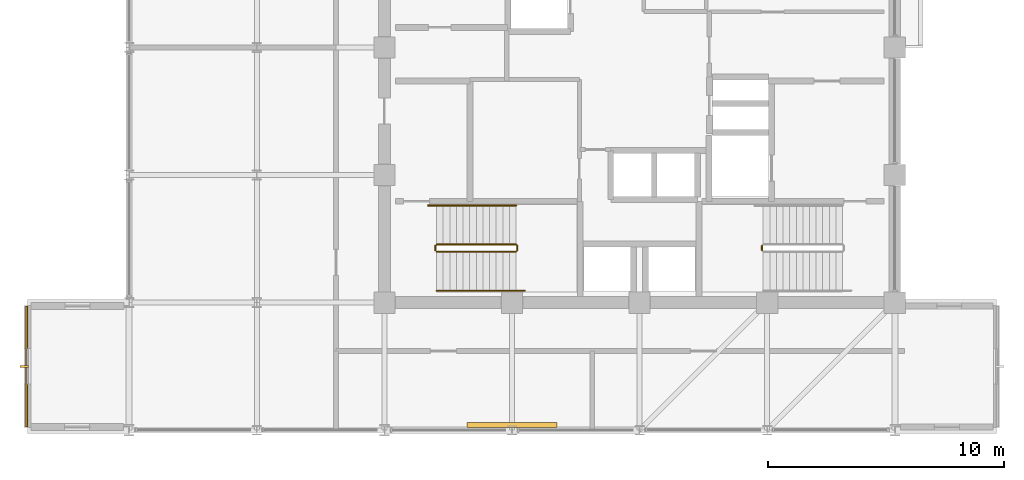
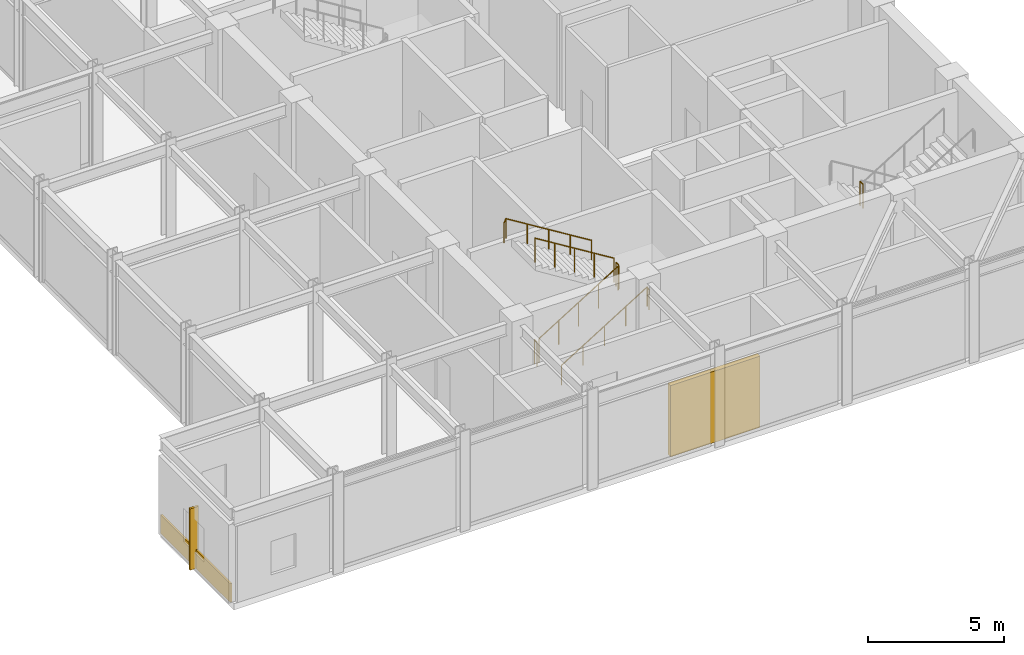
# One storey, part 19 of 22: 7 railings, 2 shading devices, 1 covering.
"""IFC4 building model written with IfcOpenShell, lengths in metres."""

from ifc_helpers import new_model, si_unit, direction, frame, origin, origin_2d, place, context, subcontext, project, spatial, rectangle, circle, extrude, material, layer, layer_set, type_object, element, save


model = new_model("IFC4")

# Units and contexts
model_context = context("Model", 3, precision=1e-05, world=origin(), true_north=direction((0.0, 1.0)))
body_context = subcontext(model_context, "Body", "Model", "MODEL_VIEW")
ifc_project = project(units=[si_unit("LENGTHUNIT", "METRE"), si_unit("AREAUNIT", "SQUARE_METRE"), si_unit("VOLUMEUNIT", "CUBIC_METRE"), si_unit("PLANEANGLEUNIT", "RADIAN"), si_unit("MASSUNIT", "GRAM", prefix="KILO")], contexts=[model_context])

# Site, building, storey
site_placement = place(None, origin())
site = spatial("IfcSite", under=ifc_project, at=site_placement, CompositionType="ELEMENT")
building_placement = place(site_placement, origin())
building = spatial("IfcBuilding", under=site, at=building_placement, Name="Surkhivell Harbour Commons", CompositionType="ELEMENT")
storey_placement = place(building_placement, frame((0.0, 0.0, 342.0)))
storey = spatial("IfcBuildingStorey", under=building, at=storey_placement, Name="L89", CompositionType="ELEMENT", Elevation=342.0)

# Covering
ifc_material_1 = material(Name="Saffron-gold enamelled aluminium cassette panel", Category="aluminium")
ifc_layer = layer(ifc_material_1, 0.070068359375)
ifc_layer_set = layer_set([ifc_layer], Name="Saffron-gold enamelled aluminium cassette panel")
covering_type = type_object("IfcCoveringType", Name="COV-CLAD-SAF", PredefinedType="CLADDING", material=ifc_layer_set)
covering_placement = place(storey_placement, frame((-25.93994140625, -13.5, 0.0), z_axis=(0.0, 0.0, 1.0), x_axis=(1.0, 0.0, 0.0)))
element("IfcCovering", 1, at=covering_placement, inside=storey, type_object=covering_type, Name="L89 Coloured-Panel Box Spandrel Cassette 03", PredefinedType="CLADDING", context=body_context, shape_type="SweptSolid", body=[
    extrude(rectangle(XDim=0.080078125, YDim=5.10009765625, at=origin_2d()), origin(), (0.0, 0.0, 1.0), 0.840087890625),
])

# Railings
ifc_material_2 = material(Name="Galvanised and painted steel S355 guard rail", Category="steel")
railing_type_1 = type_object("IfcRailingType", Name="RAL-ST-GRD1100", PredefinedType="GUARDRAIL", material=ifc_material_2)
railing_1_placement = place(storey_placement, frame((5.179931640625, -8.389892578125, 2.25)))
element("IfcRailing", 2, at=railing_1_placement, inside=storey, type_object=railing_type_1, Name="L89 ST2 stair guard 2", PredefinedType="GUARDRAIL", context=body_context, shape_type="SweptSolid", body=[
    extrude(circle(Radius=0.02392578125, at=origin_2d()), frame((0.0, 0.0, 1.076171875), z_axis=(0.0, -1.0, 0.0), x_axis=(1.0, 0.0, 0.0)), (0.0, 0.0, 1.0), 0.2001953125),
    extrude(circle(Radius=0.02099609375, at=origin_2d()), origin(), (0.0, 0.0, 1.0), 1.052001953125),
    extrude(circle(Radius=0.02099609375, at=origin_2d()), frame((0.0, -0.2001953125, 0.0)), (0.0, 0.0, 1.0), 1.052001953125),
])
railing_2_placement = place(storey_placement, frame((-8.590087890625, -8.639892578125, 0.173095703125)))
element("IfcRailing", 3, at=railing_2_placement, inside=storey, type_object=railing_type_1, Name="L89 ST3 stair guard 1", PredefinedType="GUARDRAIL", context=body_context, shape_type="SweptSolid", body=[
    extrude(circle(Radius=0.02392578125, at=origin_2d()), frame((0.0, 0.0, 1.076171875), z_axis=(0.850623216509, 0.0, 0.525775754039), x_axis=(0.0, 1.0, 0.0)), (0.0, 0.0, 1.0), 3.9501953125),
    extrude(circle(Radius=0.02099609375, at=origin_2d()), origin(), (0.0, 0.0, 1.0), 1.052001953125),
    extrude(circle(Radius=0.02099609375, at=origin_2d()), frame((0.840087890625, 0.0, 0.519287109375)), (0.0, 0.0, 1.0), 1.052001953125),
    extrude(circle(Radius=0.02099609375, at=origin_2d()), frame((1.68017578125, 0.0, 1.03857421875)), (0.0, 0.0, 1.0), 1.052001953125),
    extrude(circle(Radius=0.02099609375, at=origin_2d()), frame((2.52001953125, 0.0, 1.5576171875)), (0.0, 0.0, 1.0), 1.052001953125),
    extrude(circle(Radius=0.02099609375, at=origin_2d()), frame((3.360107421875, 0.0, 2.076904296875)), (0.0, 0.0, 1.0), 1.052001953125),
])
railing_3_placement = place(storey_placement, frame((-5.179931640625, -8.590087890625, 2.25)))
element("IfcRailing", 4, at=railing_3_placement, inside=storey, type_object=railing_type_1, Name="L89 ST3 stair guard 2", PredefinedType="GUARDRAIL", context=body_context, shape_type="SweptSolid", body=[
    extrude(circle(Radius=0.02392578125, at=origin_2d()), frame((0.0, 0.0, 1.076171875), z_axis=(0.0, 1.0, 0.0), x_axis=(-1.0, 0.0, 0.0)), (0.0, 0.0, 1.0), 0.2001953125),
    extrude(circle(Radius=0.02099609375, at=origin_2d()), origin(), (0.0, 0.0, 1.0), 1.052001953125),
    extrude(circle(Radius=0.02099609375, at=origin_2d()), frame((0.0, 0.2001953125, 0.0)), (0.0, 0.0, 1.0), 1.052001953125),
])
railing_4_placement = place(storey_placement, frame((-5.22998046875, -8.340087890625, 2.423095703125)))
element("IfcRailing", 5, at=railing_4_placement, inside=storey, type_object=railing_type_1, Name="L89 ST3 stair guard 3", PredefinedType="GUARDRAIL", context=body_context, shape_type="SweptSolid", body=[
    extrude(circle(Radius=0.02392578125, at=origin_2d()), frame((0.0, 0.0, 1.076171875), z_axis=(-0.850623216509, 0.0, 0.525775754039), x_axis=(0.0, -1.0, 0.0)), (0.0, 0.0, 1.0), 3.9501953125),
    extrude(circle(Radius=0.02099609375, at=origin_2d()), origin(), (0.0, 0.0, 1.0), 1.052001953125),
    extrude(circle(Radius=0.02099609375, at=origin_2d()), frame((-0.840087890625, 0.0, 0.519287109375)), (0.0, 0.0, 1.0), 1.052001953125),
    extrude(circle(Radius=0.02099609375, at=origin_2d()), frame((-1.68017578125, 0.0, 1.03857421875)), (0.0, 0.0, 1.0), 1.052001953125),
    extrude(circle(Radius=0.02099609375, at=origin_2d()), frame((-2.52001953125, 0.0, 1.5576171875)), (0.0, 0.0, 1.0), 1.052001953125),
    extrude(circle(Radius=0.02099609375, at=origin_2d()), frame((-3.360107421875, 0.0, 2.076904296875)), (0.0, 0.0, 1.0), 1.052001953125),
])
railing_5_placement = place(storey_placement, frame((-8.639892578125, -8.590087890625, 0.0)))
element("IfcRailing", 6, at=railing_5_placement, inside=storey, type_object=railing_type_1, Name="L89 ST3 stair guard 4", PredefinedType="GUARDRAIL", context=body_context, shape_type="SweptSolid", body=[
    extrude(circle(Radius=0.02392578125, at=origin_2d()), frame((0.0, 0.0, 1.076171875), z_axis=(0.0, 1.0, 0.0), x_axis=(-1.0, 0.0, 0.0)), (0.0, 0.0, 1.0), 0.2001953125),
    extrude(circle(Radius=0.02099609375, at=origin_2d()), origin(), (0.0, 0.0, 1.0), 1.052001953125),
    extrude(circle(Radius=0.02099609375, at=origin_2d()), frame((0.0, 0.2001953125, 0.0)), (0.0, 0.0, 1.0), 1.052001953125),
])
ifc_material_3 = material(Name="Brushed stainless steel S355 handrail", Category="steel")
railing_type_2 = type_object("IfcRailingType", Name="RAL-ST-HND900", PredefinedType="HANDRAIL", material=ifc_material_3)
railing_6_placement = place(storey_placement, frame((-8.590087890625, -10.2900390625, 0.173095703125)))
element("IfcRailing", 7, at=railing_6_placement, inside=storey, type_object=railing_type_2, Name="L89 ST3 stair handrail 1", PredefinedType="HANDRAIL", context=body_context, shape_type="SweptSolid", body=[
    extrude(circle(Radius=0.02392578125, at=origin_2d()), frame((0.0, 0.0, 0.8759765625), z_axis=(0.850622404505, 0.0, 0.525777067734), x_axis=(0.0, 1.0, 0.0)), (0.0, 0.0, 1.0), 4.279296875),
    extrude(circle(Radius=0.02392578125, at=origin_2d()), frame((3.64013671875, 0.0, 3.1259765625), z_axis=(0.418814502111, 0.0, -0.908071810388), x_axis=(0.0, 1.0, 0.0)), (0.0, 0.0, 1.0), 0.190673828125),
    extrude(circle(Radius=0.02099609375, at=origin_2d()), origin(), (0.0, 0.0, 1.0), 0.851806640625),
    extrude(circle(Radius=0.02099609375, at=origin_2d()), frame((0.91015625, 0.0, 0.5625)), (0.0, 0.0, 1.0), 0.851806640625),
    extrude(circle(Radius=0.02099609375, at=origin_2d()), frame((1.820068359375, 0.0, 1.125)), (0.0, 0.0, 1.0), 0.851806640625),
    extrude(circle(Radius=0.02099609375, at=origin_2d()), frame((2.72998046875, 0.0, 1.6875)), (0.0, 0.0, 1.0), 0.851806640625),
    extrude(circle(Radius=0.02099609375, at=origin_2d()), frame((3.64013671875, 0.0, 2.25)), (0.0, 0.0, 1.0), 0.851806640625),
    extrude(circle(Radius=0.02099609375, at=origin_2d()), frame((3.719970703125, 0.0, 2.076904296875)), (0.0, 0.0, 1.0), 0.851806640625),
])
railing_7_placement = place(storey_placement, frame((-5.22998046875, -6.68994140625, 2.423095703125)))
element("IfcRailing", 8, at=railing_7_placement, inside=storey, type_object=railing_type_2, Name="L89 ST3 stair handrail 2", PredefinedType="HANDRAIL", context=body_context, shape_type="SweptSolid", body=[
    extrude(circle(Radius=0.02392578125, at=origin_2d()), frame((0.0, 0.0, 0.8759765625), z_axis=(-0.850622404505, 0.0, 0.525777067734), x_axis=(0.0, -1.0, 0.0)), (0.0, 0.0, 1.0), 4.279296875),
    extrude(circle(Radius=0.02392578125, at=origin_2d()), frame((-3.64013671875, 0.0, 3.1259765625), z_axis=(-0.418814502111, 0.0, -0.908071810388), x_axis=(0.0, -1.0, 0.0)), (0.0, 0.0, 1.0), 0.190673828125),
    extrude(circle(Radius=0.02099609375, at=origin_2d()), origin(), (0.0, 0.0, 1.0), 0.851806640625),
    extrude(circle(Radius=0.02099609375, at=origin_2d()), frame((-0.91015625, 0.0, 0.5625)), (0.0, 0.0, 1.0), 0.851806640625),
    extrude(circle(Radius=0.02099609375, at=origin_2d()), frame((-1.820068359375, 0.0, 1.125)), (0.0, 0.0, 1.0), 0.851806640625),
    extrude(circle(Radius=0.02099609375, at=origin_2d()), frame((-2.72998046875, 0.0, 1.6875)), (0.0, 0.0, 1.0), 0.851806640625),
    extrude(circle(Radius=0.02099609375, at=origin_2d()), frame((-3.64013671875, 0.0, 2.25)), (0.0, 0.0, 1.0), 0.851806640625),
    extrude(circle(Radius=0.02099609375, at=origin_2d()), frame((-3.719970703125, 0.0, 2.076904296875)), (0.0, 0.0, 1.0), 0.851806640625),
])

# Shading devices
ifc_material_4 = material(Name="Anodised pale-metal aluminium solar fin", Category="aluminium")
shading_device_type_1 = type_object("IfcShadingDeviceType", Name="SHD-FIN-VERT", PredefinedType="USERDEFINED", material=ifc_material_4)
shading_device_1_placement = place(storey_placement, frame((-26.0400390625, -13.5, 0.0048828125), z_axis=(0.0, 0.0, 1.0), x_axis=(1.0, 0.0, 0.0)))
element("IfcShadingDevice", 9, at=shading_device_1_placement, inside=storey, type_object=shading_device_type_1, Name="L89 Coloured-Box Solar Fin 03", ObjectType="FIN", PredefinedType="USERDEFINED", context=body_context, shape_type="SweptSolid", body=[
    extrude(rectangle(XDim=0.360107421875, YDim=0.090087890625, at=origin_2d()), origin(), (0.0, 0.0, 1.0), 2.75),
])
ifc_material_5 = material(Name="Crown pale-metal storm louvre assembly", Category="aluminium")
shading_device_type_2 = type_object("IfcShadingDeviceType", Name="SHD-LOUV-CRN", PredefinedType="JALOUSIE", material=ifc_material_5)
shading_device_2_placement = place(storey_placement, frame((-5.39990234375, -15.97998046875, 0.0), z_axis=(0.0, 0.0, 1.0), x_axis=(1.0, 0.0, 0.0)))
element("IfcShadingDevice", 10, at=shading_device_2_placement, inside=storey, type_object=shading_device_type_2, Name="L89 Crown Acoustic Louvre Screen 03", PredefinedType="JALOUSIE", context=body_context, shape_type="SweptSolid", body=[
    extrude(rectangle(XDim=3.800048828125, YDim=0.199951171875, at=origin_2d()), origin(), (0.0, 0.0, 1.0), 3.199951171875),
])

save(model, "model.ifc")
